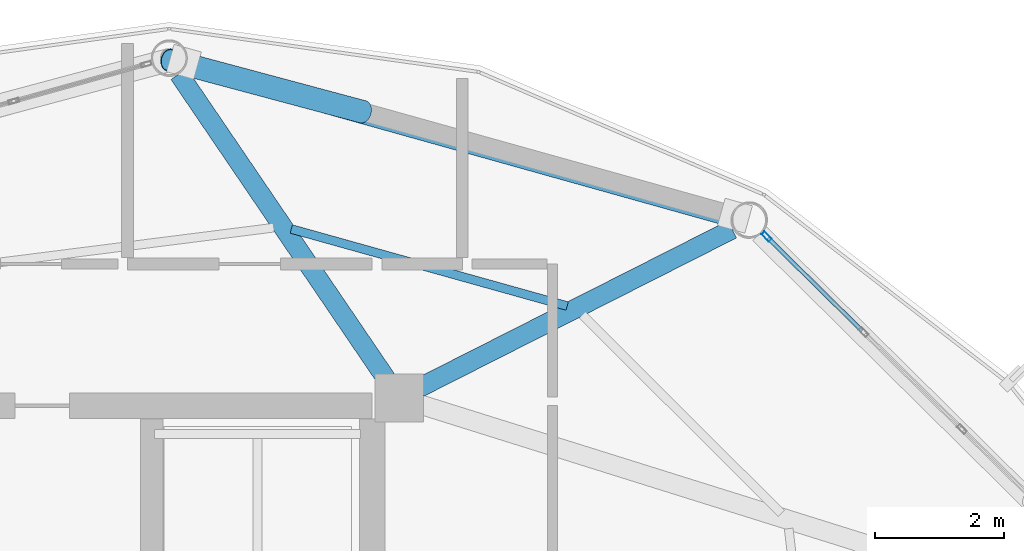
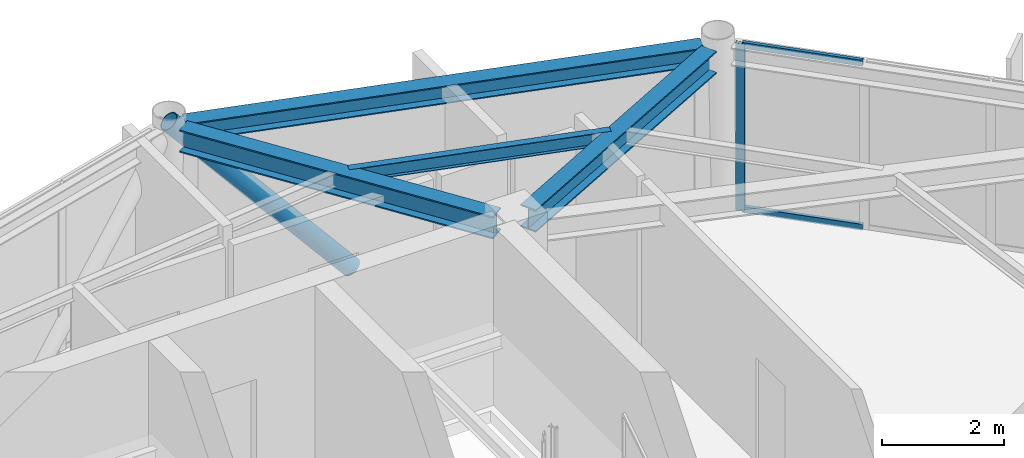
# One storey, part 19 of 26: 4 beams, 4 members, 1 element without a shape of its own.
"""IFC4 building model written with IfcOpenShell, lengths in metres."""

from ifc_helpers import new_model, si_unit, direction, frame, origin, origin_2d, place, context, subcontext, project, spatial, hollow_rectangle, hollow_circle, i_section, extrude, material, layer, layer_set, material_profile, profile_set, type_object, element, aggregate, save


model = new_model("IFC4")

# Units and contexts
model_context = context("Model", 3, precision=1e-05, world=origin(), true_north=direction((0.0, 1.0)))
body_context = subcontext(model_context, "Body", "Model", "MODEL_VIEW")
ifc_project = project(units=[si_unit("LENGTHUNIT", "METRE"), si_unit("AREAUNIT", "SQUARE_METRE"), si_unit("VOLUMEUNIT", "CUBIC_METRE"), si_unit("PLANEANGLEUNIT", "RADIAN"), si_unit("MASSUNIT", "GRAM", prefix="KILO")], contexts=[model_context])

# Site, building, storey
site_placement = place(None, origin())
site = spatial("IfcSite", under=ifc_project, at=site_placement, CompositionType="ELEMENT")
building_placement = place(site_placement, origin())
building = spatial("IfcBuilding", under=site, at=building_placement, Name="Varnakorn Sky Granary", CompositionType="ELEMENT")
storey_placement = place(building_placement, frame((0.0, 0.0, 267.0)))
storey = spatial("IfcBuildingStorey", under=building, at=storey_placement, Name="L68", CompositionType="ELEMENT", Elevation=267.0)

# Beams
ifc_material_1 = material(Name="Steel S355JR", Category="steel")
ifc_material_profile_1 = material_profile(ifc_material_1, i_section(OverallWidth=0.300048828125, OverallDepth=0.449951171875, WebThickness=0.013916015625, FlangeThickness=0.02587890625, at=origin_2d()), Name="HE 450 B")
ifc_profile_set_1 = profile_set([ifc_material_profile_1], Name="Steel S355JR")
beam_type_1 = type_object("IfcBeamType", Name="BM-RAD-Z5", PredefinedType="BEAM", material=ifc_profile_set_1)
beam_1_placement = place(storey_placement, frame((8.73681640625, 12.780517578125, 3.135009765625), z_axis=(0.892145255144, 0.451748651048, 0.0), x_axis=(-0.451748651048, 0.892145255144, 0.0)))
element("IfcBeam", 1, at=beam_1_placement, inside=storey, type_object=beam_type_1, Name="Radial Floor Girder RG03 L68", PredefinedType="BEAM", context=body_context, shape_type="SweptSolid", body=[
    extrude(i_section(OverallWidth=0.300048828125, OverallDepth=0.449951171875, WebThickness=0.013916015625, FlangeThickness=0.02587890625, at=origin_2d()), origin(), (0.0, 0.0, 1.0), 5.441162109375),
])
beam_2_placement = place(storey_placement, frame((8.220458984375, 12.91357421875, 3.135009765625), z_axis=(-0.562386955164, 0.826874181881, 0.0), x_axis=(-0.826874181881, -0.562386955164, 0.0)))
element("IfcBeam", 2, at=beam_2_placement, inside=storey, type_object=beam_type_1, Name="Radial Floor Girder RG04 L68", PredefinedType="BEAM", context=body_context, shape_type="SweptSolid", body=[
    extrude(i_section(OverallWidth=0.300048828125, OverallDepth=0.449951171875, WebThickness=0.013916015625, FlangeThickness=0.02587890625, at=origin_2d()), origin(), (0.0, 0.0, 1.0), 5.728515625),
])
ifc_material_profile_2 = material_profile(ifc_material_1, i_section(OverallWidth=0.135009765625, OverallDepth=0.27001953125, WebThickness=0.006591796875, FlangeThickness=0.01025390625, at=origin_2d()), Name="IPE 270")
ifc_profile_set_2 = profile_set([ifc_material_profile_2], Name="Steel S355JR")
beam_type_2 = type_object("IfcBeamType", Name="BM-SEC-Z5", PredefinedType="BEAM", material=ifc_profile_set_2)
beam_3_placement = place(storey_placement, frame((11.029052734375, 14.047119140625, 3.22509765625), z_axis=(-0.963120595043, 0.269070101282, 0.0), x_axis=(-0.269070101282, -0.963120595043, 0.0)))
element("IfcBeam", 3, at=beam_3_placement, inside=storey, type_object=beam_type_2, Name="Secondary Floor Chord Beam MSB03 L68", PredefinedType="BEAM", context=body_context, shape_type="SweptSolid", body=[
    extrude(i_section(OverallWidth=0.135009765625, OverallDepth=0.27001953125, WebThickness=0.006591796875, FlangeThickness=0.01025390625, at=origin_2d()), origin(), (0.0, 0.0, 1.0), 4.44873046875),
])
ifc_material_profile_3 = material_profile(ifc_material_1, i_section(OverallWidth=0.300048828125, OverallDepth=0.360107421875, WebThickness=0.012451171875, FlangeThickness=0.0224609375, at=origin_2d()), Name="HE 360 B")
ifc_profile_set_3 = profile_set([ifc_material_profile_3], Name="Steel S355JR")
beam_type_3 = type_object("IfcBeamType", Name="BM-SPD-Z5", PredefinedType="SPANDREL", material=ifc_profile_set_3)
beam_4_placement = place(storey_placement, frame((13.572265625, 15.42919921875, 3.179931640625), z_axis=(-0.963030605559, 0.269392005741, 0.0), x_axis=(-0.269392005741, -0.963030605559, 0.0)))
element("IfcBeam", 4, at=beam_4_placement, inside=storey, type_object=beam_type_3, Name="Perimeter Spandrel Ring Beam RB03 L68", PredefinedType="SPANDREL", context=body_context, shape_type="SweptSolid", body=[
    extrude(i_section(OverallWidth=0.300048828125, OverallDepth=0.360107421875, WebThickness=0.012451171875, FlangeThickness=0.0224609375, at=origin_2d()), origin(), (0.0, 0.0, 1.0), 8.79248046875),
])

# Curtain wall, members
ifc_material_2 = material(Name="Anodised Bronze Aluminium Alloy 6063-T6", Category="aluminium")
ifc_layer = layer(ifc_material_2, 0.159912109375, Name="Anodised Bronze Aluminium Alloy 6063-T6")
ifc_layer_set = layer_set([ifc_layer], Name="Anodised Bronze Aluminium Alloy 6063-T6")
curtain_wall_type = type_object("IfcCurtainWallType", Name="CW-OFF-1", PredefinedType="USERDEFINED", material=ifc_layer_set)
curtain_wall_placement = place(storey_placement, origin())
curtain_wall = element("IfcCurtainWall", 5, at=curtain_wall_placement, inside=storey, type_object=curtain_wall_type, Name="Unitised Curtain Wall CW6 CW-L68-B02", ObjectType="CURTAIN WALL", PredefinedType="USERDEFINED")
ifc_material_profile_4 = material_profile(ifc_material_2, hollow_rectangle(XDim=0.06494140625, YDim=0.159912109375, WallThickness=0.00341796875, at=origin_2d()), Name="ALU MULL 65x160")
ifc_profile_set_4 = profile_set([ifc_material_profile_4], Name="Anodised Bronze Aluminium Alloy 6063-T6")
member_type_1 = type_object("IfcMemberType", Name="CW-OFF-1-MULL", PredefinedType="MULLION", material=ifc_profile_set_4)
member_1_placement = place(storey_placement, frame((14.12548828125, 15.126220703125, 0.0), z_axis=(0.0, 0.0, 1.0), x_axis=(0.702091405728, 0.71208683319, 0.0)))
member_1 = element("IfcMember", 6, at=member_1_placement, type_object=member_type_1, Name="CW6 mullion 1", PredefinedType="MULLION", context=body_context, shape_type="SweptSolid", body=[
    extrude(hollow_rectangle(XDim=0.06494140625, YDim=0.159912109375, WallThickness=0.00341796875, at=origin_2d()), origin(), (0.0, 0.0, 1.0), 3.360107421875),
])
ifc_material_profile_5 = material_profile(ifc_material_2, hollow_rectangle(XDim=0.06494140625, YDim=0.1201171875, WallThickness=0.00341796875, at=origin_2d()), Name="ALU TRAN 65x120")
ifc_profile_set_5 = profile_set([ifc_material_profile_5], Name="Anodised Bronze Aluminium Alloy 6063-T6")
member_type_2 = type_object("IfcMemberType", Name="CW-OFF-1-TRAN", PredefinedType="USERDEFINED", material=ifc_profile_set_5)
member_2_placement = place(storey_placement, frame((14.148681640625, 15.103515625, 0.032470703125), z_axis=(0.712035829306, -0.702143131979, 0.0), x_axis=(0.702143131979, 0.712035829306, 0.0)))
member_2 = element("IfcMember", 7, at=member_2_placement, type_object=member_type_2, Name="CW6 transom 1.1", ObjectType="TRANSOM", PredefinedType="USERDEFINED", context=body_context, shape_type="SweptSolid", body=[
    extrude(hollow_rectangle(XDim=0.06494140625, YDim=0.1201171875, WallThickness=0.00341796875, at=origin_2d()), origin(), (0.0, 0.0, 1.0), 2.04833984375),
])
member_3_placement = place(storey_placement, frame((14.148681640625, 15.103515625, 3.327392578125), z_axis=(0.712035829306, -0.702143131979, 0.0), x_axis=(0.702143131979, 0.712035829306, 0.0)))
member_3 = element("IfcMember", 8, at=member_3_placement, type_object=member_type_2, Name="CW6 transom 1.2", ObjectType="TRANSOM", PredefinedType="USERDEFINED", context=body_context, shape_type="SweptSolid", body=[
    extrude(hollow_rectangle(XDim=0.06494140625, YDim=0.1201171875, WallThickness=0.00341796875, at=origin_2d()), origin(), (0.0, 0.0, 1.0), 2.04833984375),
])
aggregate(curtain_wall, [member_1, member_2, member_3])

# Member
ifc_material_3 = material(Name="Steel S460M", Category="steel")
ifc_material_profile_6 = material_profile(ifc_material_3, hollow_circle(Radius=0.177734375, WallThickness=0.01416015625, at=origin_2d()), Name="CHS 355.6x14")
ifc_profile_set_6 = profile_set([ifc_material_profile_6], Name="Steel S460M")
member_type_3 = type_object("IfcMemberType", Name="MB-DIAG-T5", PredefinedType="BRACE", material=ifc_profile_set_6)
member_4_placement = place(storey_placement, frame((7.853515625, 17.064453125, -0.1298828125), z_axis=(-0.642559142449, 0.172104728855, 0.746657693164), x_axis=(-0.258723002447, -0.965951555723, 0.0)))
element("IfcMember", 9, at=member_4_placement, inside=storey, type_object=member_type_3, Name="Perimeter CHS Diagrid Brace DG03 L68", PredefinedType="BRACE", context=body_context, shape_type="SweptSolid", body=[
    extrude(hollow_circle(Radius=0.177734375, WallThickness=0.01416015625, at=origin_2d()), origin(), (0.0, 0.0, 1.0), 4.674072265625),
])

save(model, "model.ifc")
